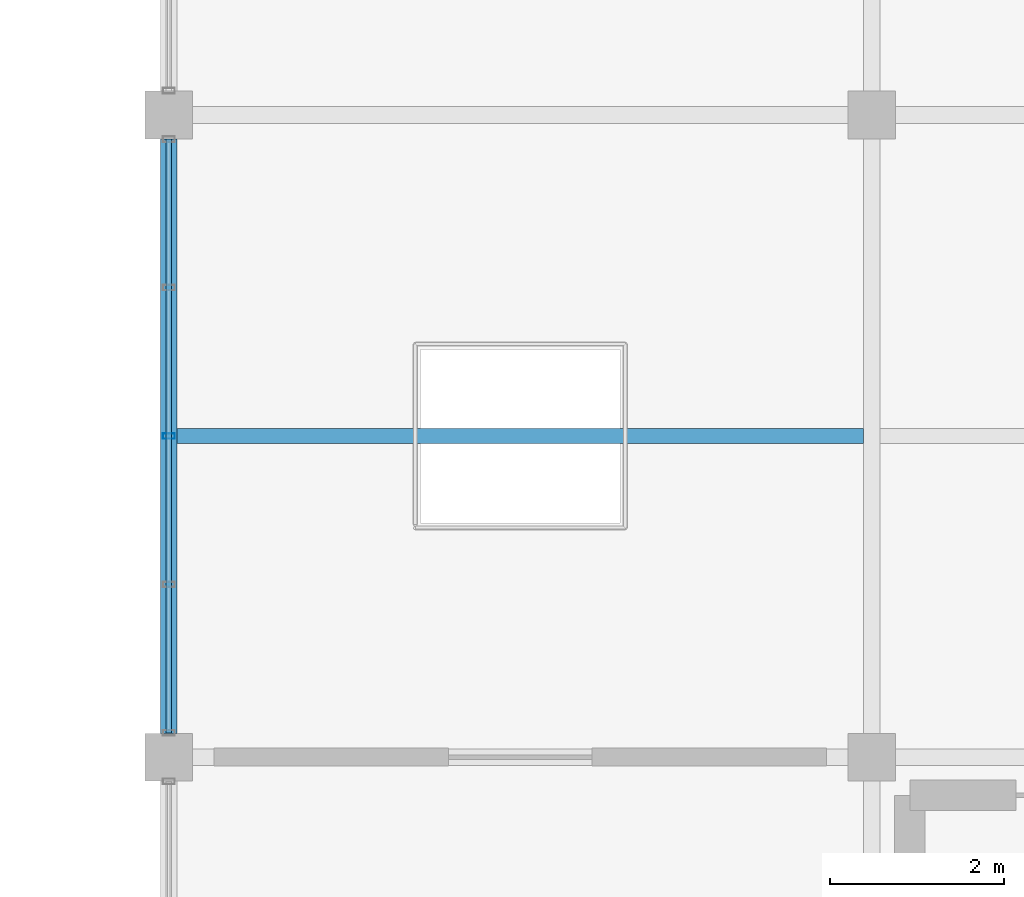
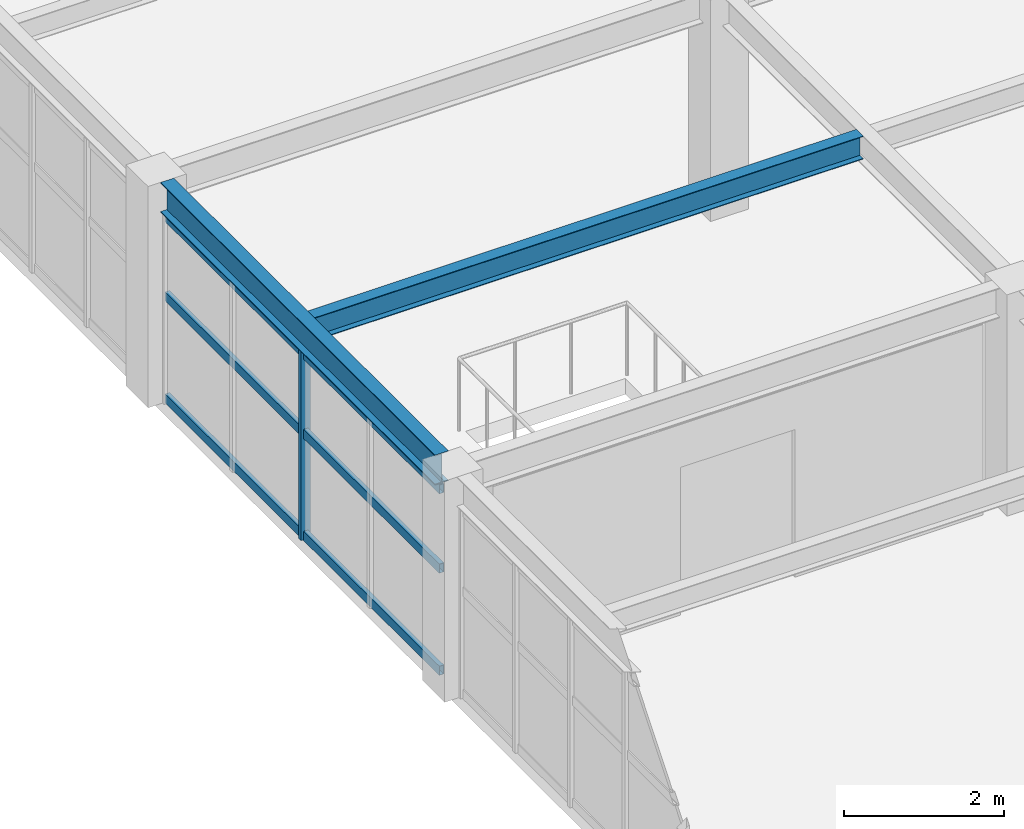
# One storey, part 38 of 121: 4 members, 2 beams, 1 element without a shape of its own.
"""IFC4 building model written with IfcOpenShell, lengths in metres."""

from ifc_helpers import new_model, si_unit, direction, frame, origin, origin_2d, place, context, subcontext, project, spatial, hollow_rectangle, i_section, extrude, material, material_profile, profile_set, type_object, element, aggregate, save


model = new_model("IFC4")

# Units and contexts
model_context = context("Model", 3, precision=1e-05, world=origin(), true_north=direction((0.0, 1.0)))
body_context = subcontext(model_context, "Body", "Model", "MODEL_VIEW")
ifc_project = project(units=[si_unit("LENGTHUNIT", "METRE"), si_unit("AREAUNIT", "SQUARE_METRE"), si_unit("VOLUMEUNIT", "CUBIC_METRE"), si_unit("PLANEANGLEUNIT", "RADIAN"), si_unit("MASSUNIT", "GRAM", prefix="KILO")], contexts=[model_context])

# Site, building, storey
site_placement = place(None, origin())
site = spatial("IfcSite", under=ifc_project, at=site_placement, CompositionType="ELEMENT")
building_placement = place(site_placement, origin())
building = spatial("IfcBuilding", under=site, at=building_placement, Name="Cimatlan Art Gallery", CompositionType="ELEMENT")
storey_placement = place(building_placement, frame((0.0, 0.0, 10.199951171875)))
storey = spatial("IfcBuildingStorey", under=building, at=storey_placement, Name="L02", CompositionType="ELEMENT", Elevation=10.199951171875)

# Beams
ifc_material_1 = material(Name="Steel ASTM A992 Grade 50", Category="steel")
ifc_material_profile_1 = material_profile(ifc_material_1, i_section(OverallWidth=0.1708984375, OverallDepth=0.35107421875, WebThickness=0.0068359375, FlangeThickness=0.009765625, at=origin_2d()), Name="W14X30")
ifc_profile_set_1 = profile_set([ifc_material_profile_1], Name="Steel ASTM A992 Grade 50")
beam_type_1 = type_object("IfcBeamType", Name="BM-STL-W14X30", PredefinedType="JOIST", material=ifc_profile_set_1)
beam_1_placement = place(storey_placement, frame((115.49560546875, 57.199951171875, 3.194580078125), z_axis=(1.0, 0.0, 0.0), x_axis=(0.0, 1.0, 0.0)))
element("IfcBeam", 1, at=beam_1_placement, inside=storey, type_object=beam_type_1, Name="JST-L02-14-07", PredefinedType="JOIST", context=body_context, shape_type="SweptSolid", body=[
    extrude(i_section(OverallWidth=0.1708984375, OverallDepth=0.35107421875, WebThickness=0.0068359375, FlangeThickness=0.009765625, at=origin_2d()), origin(), (0.0, 0.0, 1.0), 7.908935546875),
])
ifc_material_profile_2 = material_profile(ifc_material_1, i_section(OverallWidth=0.19091796875, OverallDepth=0.45703125, WebThickness=0.009033203125, FlangeThickness=0.014404296875, at=origin_2d()), Name="W18X50")
ifc_profile_set_2 = profile_set([ifc_material_profile_2], Name="Steel ASTM A992 Grade 50")
beam_type_2 = type_object("IfcBeamType", Name="BM-STL-W18X50", PredefinedType="BEAM", material=ifc_profile_set_2)
beam_2_placement = place(storey_placement, frame((115.39990234375, 53.77490234375, 3.1416015625), z_axis=(0.0, 1.0, 0.0), x_axis=(-1.0, 0.0, 0.0)))
element("IfcBeam", 2, at=beam_2_placement, inside=storey, type_object=beam_type_2, Name="BM-Y-L02-14-07", PredefinedType="BEAM", context=body_context, shape_type="SweptSolid", body=[
    extrude(i_section(OverallWidth=0.19091796875, OverallDepth=0.45703125, WebThickness=0.009033203125, FlangeThickness=0.014404296875, at=origin_2d()), origin(), (0.0, 0.0, 1.0), 6.85009765625),
])

# Curtain wall, members
ifc_material_2 = material(Name="Anodised bronze unitised curtain wall")
curtain_wall_type = type_object("IfcCurtainWallType", Name="CW-V-06842X02883-B4", PredefinedType="NOTDEFINED", material=ifc_material_2)
curtain_wall_placement = place(storey_placement, origin())
curtain_wall = element("IfcCurtainWall", 3, at=curtain_wall_placement, inside=storey, type_object=curtain_wall_type, Name="CW-L02-14-07-W", PredefinedType="NOTDEFINED")
ifc_material_3 = material(Name="Anodised bronze aluminium 6063-T6", Category="aluminium")
ifc_material_profile_3 = material_profile(ifc_material_3, hollow_rectangle(XDim=0.06494140625, YDim=0.139892578125, WallThickness=0.00390625, at=origin_2d()), Name="ALU65X140X4")
ifc_profile_set_3 = profile_set([ifc_material_profile_3], Name="Anodised bronze aluminium 6063-T6")
member_type_1 = type_object("IfcMemberType", Name="CW-MUL-140", PredefinedType="MULLION", material=ifc_profile_set_3)
member_1_placement = place(storey_placement, frame((115.39990234375, 57.199951171875, 0.0), z_axis=(0.0, 0.0, 1.0), x_axis=(0.0, 1.0, 0.0)))
member_1 = element("IfcMember", 4, at=member_1_placement, type_object=member_type_1, Name="CW-L02-14-07-W-M3", PredefinedType="MULLION", context=body_context, shape_type="SweptSolid", body=[
    extrude(hollow_rectangle(XDim=0.06494140625, YDim=0.139892578125, WallThickness=0.00390625, at=origin_2d()), origin(), (0.0, 0.0, 1.0), 2.883056640625),
])
ifc_material_profile_4 = material_profile(ifc_material_3, hollow_rectangle(XDim=0.06494140625, YDim=0.139892578125, WallThickness=0.00390625, at=origin_2d()), Name="ALU65X140X4")
ifc_profile_set_4 = profile_set([ifc_material_profile_4], Name="Anodised bronze aluminium 6063-T6")
member_type_2 = type_object("IfcMemberType", Name="CW-TRN-140", PredefinedType="USERDEFINED", material=ifc_profile_set_4)
member_2_placement = place(storey_placement, frame((115.39990234375, 53.779052734375, 0.06005859375), z_axis=(0.0, 1.0, 0.0), x_axis=(-1.0, 0.0, 0.0)))
member_2 = element("IfcMember", 5, at=member_2_placement, type_object=member_type_2, Name="CW-L02-14-07-W-T1", ObjectType="TRANSOM", PredefinedType="USERDEFINED", context=body_context, shape_type="SweptSolid", body=[
    extrude(hollow_rectangle(XDim=0.06494140625, YDim=0.139892578125, WallThickness=0.00390625, at=origin_2d()), origin(), (0.0, 0.0, 1.0), 6.842041015625),
])
member_3_placement = place(storey_placement, frame((115.39990234375, 53.779052734375, 1.614501953125), z_axis=(0.0, 1.0, 0.0), x_axis=(-1.0, 0.0, 0.0)))
member_3 = element("IfcMember", 6, at=member_3_placement, type_object=member_type_2, Name="CW-L02-14-07-W-T2", ObjectType="TRANSOM", PredefinedType="USERDEFINED", context=body_context, shape_type="SweptSolid", body=[
    extrude(hollow_rectangle(XDim=0.06494140625, YDim=0.139892578125, WallThickness=0.00390625, at=origin_2d()), origin(), (0.0, 0.0, 1.0), 6.842041015625),
])
member_4_placement = place(storey_placement, frame((115.39990234375, 53.779052734375, 2.822998046875), z_axis=(0.0, 1.0, 0.0), x_axis=(-1.0, 0.0, 0.0)))
member_4 = element("IfcMember", 7, at=member_4_placement, type_object=member_type_2, Name="CW-L02-14-07-W-T3", ObjectType="TRANSOM", PredefinedType="USERDEFINED", context=body_context, shape_type="SweptSolid", body=[
    extrude(hollow_rectangle(XDim=0.06494140625, YDim=0.139892578125, WallThickness=0.00390625, at=origin_2d()), origin(), (0.0, 0.0, 1.0), 6.842041015625),
])
aggregate(curtain_wall, [member_1, member_2, member_3, member_4])

save(model, "model.ifc")
